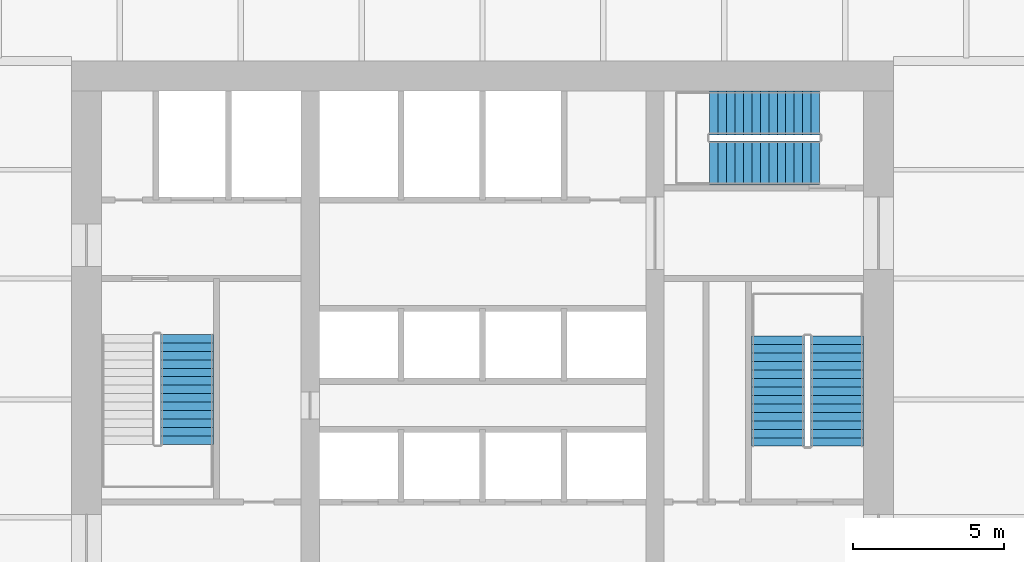
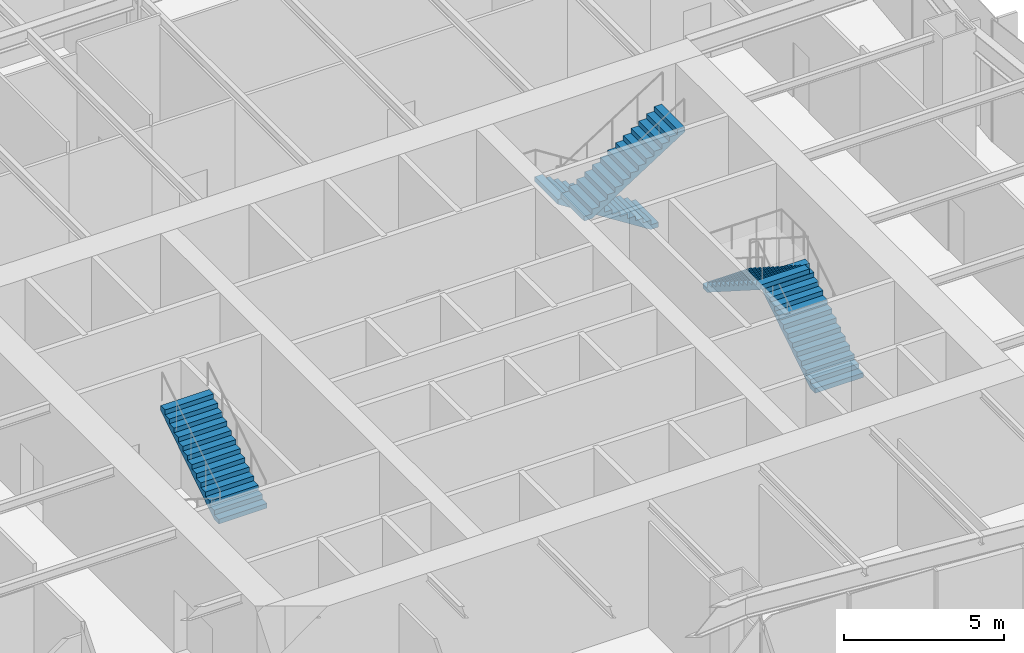
# One storey, part 12 of 15: 5 stair flights, 3 elements without a shape of their own.
"""IFC4 building model written with IfcOpenShell, lengths in metres."""

from ifc_helpers import new_model, si_unit, direction, frame, origin, place, context, subcontext, project, spatial, polyline, outline, extrude, material, type_object, element, aggregate, save


model = new_model("IFC4")

# Units and contexts
model_context = context("Model", 3, precision=1e-05, world=origin(), true_north=direction((0.0, 1.0)))
body_context = subcontext(model_context, "Body", "Model", "MODEL_VIEW")
ifc_project = project(units=[si_unit("LENGTHUNIT", "METRE"), si_unit("AREAUNIT", "SQUARE_METRE"), si_unit("VOLUMEUNIT", "CUBIC_METRE"), si_unit("PLANEANGLEUNIT", "RADIAN"), si_unit("MASSUNIT", "GRAM", prefix="KILO")], contexts=[model_context])

# Site, building, storey
site_placement = place(None, origin())
site = spatial("IfcSite", under=ifc_project, at=site_placement, CompositionType="ELEMENT")
building_placement = place(site_placement, origin())
building = spatial("IfcBuilding", under=site, at=building_placement, Name="Verdant Reach Tower", CompositionType="ELEMENT")
storey_placement = place(building_placement, frame((0.0, 0.0, 121.0)))
storey = spatial("IfcBuildingStorey", under=building, at=storey_placement, Name="L27", CompositionType="ELEMENT", Elevation=121.0)

# Stair, stair flight
ifc_material = material(Name="Concrete C40/50", Category="concrete")
stair_type = type_object("IfcStairType", Name="CO-STAIR", PredefinedType="HALF_TURN_STAIR", material=ifc_material)
stair_1_placement = place(storey_placement, origin())
stair_1 = element("IfcStair", 1, at=stair_1_placement, inside=storey, type_object=stair_type, Name="L27 Exit stair 1", PredefinedType="HALF_TURN_STAIR")
stair_flight_type = type_object("IfcStairFlightType", Name="CO-STAIR-FLIGHT", PredefinedType="STRAIGHT", material=ifc_material)
stair_flight_1_placement = place(storey_placement, frame((-9.77490234375, 25.909912109375, 2.5), z_axis=(0.0, 0.0, 1.0), x_axis=(0.0, 1.0, 0.0)))
stair_flight_1 = element("IfcStairFlight", 2, at=stair_flight_1_placement, type_object=stair_flight_type, Name="ST-1 flight 2", NumberOfRisers=14, NumberOfTreads=13, PredefinedType="STRAIGHT", RiserHeight=0.178571429, TreadLength=0.28, context=body_context, shape_type="SweptSolid", body=[
    extrude(outline(polyline([(0.0, 0.0), (0.0, 0.178466796875), (0.280029296875, 0.178466796875), (0.280029296875, 0.357177734375), (0.56005859375, 0.357177734375), (0.56005859375, 0.53564453125), (0.840087890625, 0.53564453125), (0.840087890625, 0.71435546875), (1.1201171875, 0.71435546875), (1.1201171875, 0.892822265625), (1.39990234375, 0.892822265625), (1.39990234375, 1.071533203125), (1.679931640625, 1.071533203125), (1.679931640625, 1.25), (1.9599609375, 1.25), (1.9599609375, 1.428466796875), (2.239990234375, 1.428466796875), (2.239990234375, 1.607177734375), (2.52001953125, 1.607177734375), (2.52001953125, 1.78564453125), (2.800048828125, 1.78564453125), (2.800048828125, 1.96435546875), (3.080078125, 1.96435546875), (3.080078125, 2.142822265625), (3.360107421875, 2.142822265625), (3.360107421875, 2.321533203125), (3.639892578125, 2.321533203125), (3.639892578125, 2.5), (3.639892578125, 2.1435546875), (0.27880859375, 0.0), (0.0, 0.0)])), frame((0.0, 0.875, 0.0), z_axis=(0.0, -1.0, 0.0), x_axis=(1.0, 0.0, 0.0)), (0.0, 0.0, 1.0), 1.75),
])
aggregate(stair_1, [stair_flight_1])

# Stair, stair flights
stair_2_placement = place(storey_placement, origin())
stair_2 = element("IfcStair", 3, at=stair_2_placement, inside=storey, type_object=stair_type, Name="L27 Exit stair 2", PredefinedType="HALF_TURN_STAIR")
stair_flight_2_placement = place(storey_placement, frame((11.72509765625, 25.85009765625, 0.0), z_axis=(0.0, 0.0, 1.0), x_axis=(0.0, 1.0, 0.0)))
stair_flight_2 = element("IfcStairFlight", 4, at=stair_flight_2_placement, type_object=stair_flight_type, Name="ST-2 flight 1", NumberOfRisers=14, NumberOfTreads=13, PredefinedType="STRAIGHT", RiserHeight=0.178571429, TreadLength=0.28, context=body_context, shape_type="SweptSolid", body=[
    extrude(outline(polyline([(0.0, 0.0), (0.0, 0.178466796875), (0.280029296875, 0.178466796875), (0.280029296875, 0.357177734375), (0.56005859375, 0.357177734375), (0.56005859375, 0.53564453125), (0.840087890625, 0.53564453125), (0.840087890625, 0.71435546875), (1.1201171875, 0.71435546875), (1.1201171875, 0.892822265625), (1.39990234375, 0.892822265625), (1.39990234375, 1.071533203125), (1.679931640625, 1.071533203125), (1.679931640625, 1.25), (1.9599609375, 1.25), (1.9599609375, 1.428466796875), (2.239990234375, 1.428466796875), (2.239990234375, 1.607177734375), (2.52001953125, 1.607177734375), (2.52001953125, 1.78564453125), (2.800048828125, 1.78564453125), (2.800048828125, 1.96435546875), (3.080078125, 1.96435546875), (3.080078125, 2.142822265625), (3.360107421875, 2.142822265625), (3.360107421875, 2.321533203125), (3.639892578125, 2.321533203125), (3.639892578125, 2.5), (3.639892578125, 2.1435546875), (0.27880859375, 0.0), (0.0, 0.0)])), frame((0.0, 0.875, 0.0), z_axis=(0.0, -1.0, 0.0), x_axis=(1.0, 0.0, 0.0)), (0.0, 0.0, 1.0), 1.75),
])
stair_flight_3_placement = place(storey_placement, frame((9.77490234375, 29.489990234375, 2.5), z_axis=(0.0, 0.0, 1.0), x_axis=(0.0, -1.0, 0.0)))
stair_flight_3 = element("IfcStairFlight", 5, at=stair_flight_3_placement, type_object=stair_flight_type, Name="ST-2 flight 2", NumberOfRisers=14, NumberOfTreads=13, PredefinedType="STRAIGHT", RiserHeight=0.178571429, TreadLength=0.28, context=body_context, shape_type="SweptSolid", body=[
    extrude(outline(polyline([(0.0, 0.0), (0.0, 0.178466796875), (0.280029296875, 0.178466796875), (0.280029296875, 0.357177734375), (0.56005859375, 0.357177734375), (0.56005859375, 0.53564453125), (0.840087890625, 0.53564453125), (0.840087890625, 0.71435546875), (1.1201171875, 0.71435546875), (1.1201171875, 0.892822265625), (1.39990234375, 0.892822265625), (1.39990234375, 1.071533203125), (1.679931640625, 1.071533203125), (1.679931640625, 1.25), (1.9599609375, 1.25), (1.9599609375, 1.428466796875), (2.239990234375, 1.428466796875), (2.239990234375, 1.607177734375), (2.52001953125, 1.607177734375), (2.52001953125, 1.78564453125), (2.800048828125, 1.78564453125), (2.800048828125, 1.96435546875), (3.080078125, 1.96435546875), (3.080078125, 2.142822265625), (3.360107421875, 2.142822265625), (3.360107421875, 2.321533203125), (3.639892578125, 2.321533203125), (3.639892578125, 2.5), (3.639892578125, 2.1435546875), (0.27880859375, 0.0), (0.0, 0.0)])), frame((0.0, 0.875, 0.0), z_axis=(0.0, -1.0, 0.0), x_axis=(1.0, 0.0, 0.0)), (0.0, 0.0, 1.0), 1.75),
])
aggregate(stair_2, [stair_flight_2, stair_flight_3])

stair_3_placement = place(storey_placement, origin())
stair_3 = element("IfcStair", 6, at=stair_3_placement, inside=storey, type_object=stair_type, Name="L27 Exit stair 3", PredefinedType="HALF_TURN_STAIR")
stair_flight_4_placement = place(storey_placement, frame((11.14990234375, 36.875, 0.0), z_axis=(0.0, 0.0, 1.0), x_axis=(-1.0, 0.0, 0.0)))
stair_flight_4 = element("IfcStairFlight", 7, at=stair_flight_4_placement, type_object=stair_flight_type, Name="ST-3 flight 1", NumberOfRisers=14, NumberOfTreads=13, PredefinedType="STRAIGHT", RiserHeight=0.178571429, TreadLength=0.28, context=body_context, shape_type="SweptSolid", body=[
    extrude(outline(polyline([(0.0, 0.0), (0.0, 0.178466796875), (0.280029296875, 0.178466796875), (0.280029296875, 0.357177734375), (0.56005859375, 0.357177734375), (0.56005859375, 0.53564453125), (0.840087890625, 0.53564453125), (0.840087890625, 0.71435546875), (1.1201171875, 0.71435546875), (1.1201171875, 0.892822265625), (1.39990234375, 0.892822265625), (1.39990234375, 1.071533203125), (1.679931640625, 1.071533203125), (1.679931640625, 1.25), (1.9599609375, 1.25), (1.9599609375, 1.428466796875), (2.239990234375, 1.428466796875), (2.239990234375, 1.607177734375), (2.52001953125, 1.607177734375), (2.52001953125, 1.78564453125), (2.800048828125, 1.78564453125), (2.800048828125, 1.96435546875), (3.080078125, 1.96435546875), (3.080078125, 2.142822265625), (3.360107421875, 2.142822265625), (3.360107421875, 2.321533203125), (3.639892578125, 2.321533203125), (3.639892578125, 2.5), (3.639892578125, 2.1435546875), (0.27880859375, 0.0), (0.0, 0.0)])), frame((0.0, 0.72509765625, 0.0), z_axis=(0.0, -1.0, 0.0), x_axis=(1.0, 0.0, 0.0)), (0.0, 0.0, 1.0), 1.449951171875),
])
stair_flight_5_placement = place(storey_placement, frame((7.510009765625, 35.22509765625, 2.5), z_axis=(0.0, 0.0, 1.0), x_axis=(1.0, 0.0, 0.0)))
stair_flight_5 = element("IfcStairFlight", 8, at=stair_flight_5_placement, type_object=stair_flight_type, Name="ST-3 flight 2", NumberOfRisers=14, NumberOfTreads=13, PredefinedType="STRAIGHT", RiserHeight=0.178571429, TreadLength=0.28, context=body_context, shape_type="SweptSolid", body=[
    extrude(outline(polyline([(0.0, 0.0), (0.0, 0.178466796875), (0.280029296875, 0.178466796875), (0.280029296875, 0.357177734375), (0.56005859375, 0.357177734375), (0.56005859375, 0.53564453125), (0.840087890625, 0.53564453125), (0.840087890625, 0.71435546875), (1.1201171875, 0.71435546875), (1.1201171875, 0.892822265625), (1.39990234375, 0.892822265625), (1.39990234375, 1.071533203125), (1.679931640625, 1.071533203125), (1.679931640625, 1.25), (1.9599609375, 1.25), (1.9599609375, 1.428466796875), (2.239990234375, 1.428466796875), (2.239990234375, 1.607177734375), (2.52001953125, 1.607177734375), (2.52001953125, 1.78564453125), (2.800048828125, 1.78564453125), (2.800048828125, 1.96435546875), (3.080078125, 1.96435546875), (3.080078125, 2.142822265625), (3.360107421875, 2.142822265625), (3.360107421875, 2.321533203125), (3.639892578125, 2.321533203125), (3.639892578125, 2.5), (3.639892578125, 2.1435546875), (0.27880859375, 0.0), (0.0, 0.0)])), frame((0.0, 0.72509765625, 0.0), z_axis=(0.0, -1.0, 0.0), x_axis=(1.0, 0.0, 0.0)), (0.0, 0.0, 1.0), 1.449951171875),
])
aggregate(stair_3, [stair_flight_4, stair_flight_5])

save(model, "model.ifc")
